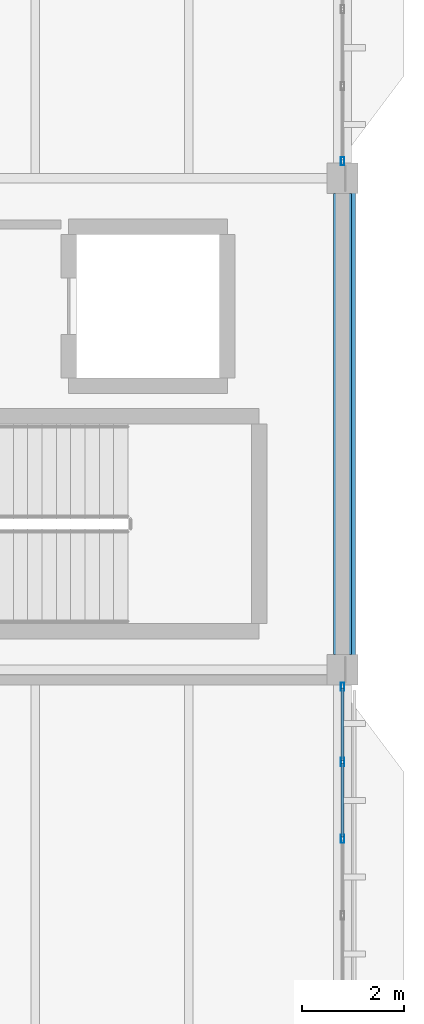
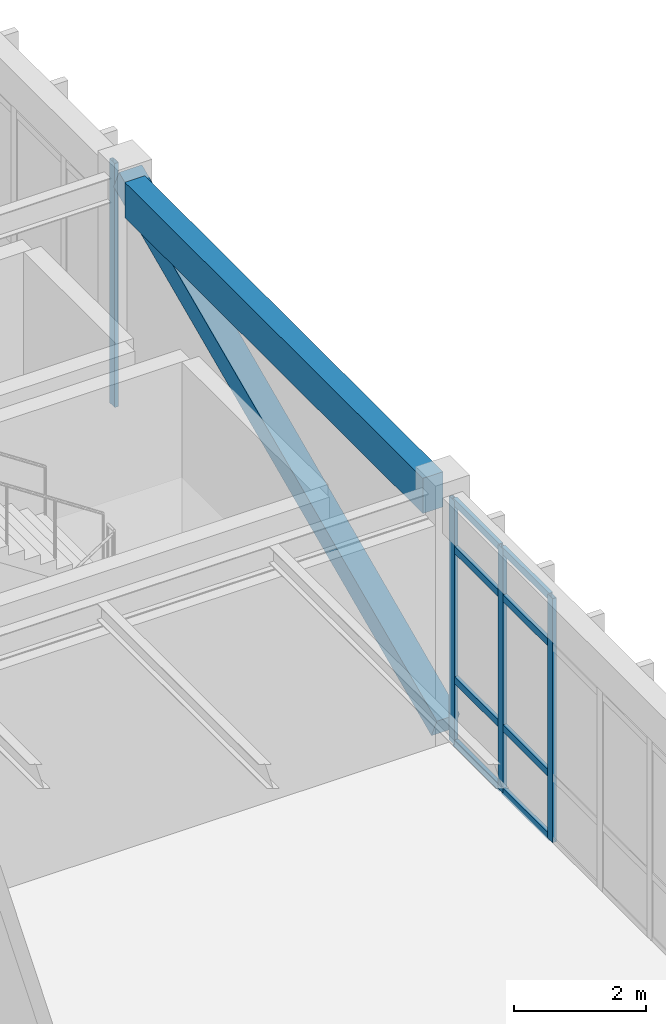
# One storey, part 166 of 236: 13 members, 1 beam, 2 elements without a shape of their own.
"""IFC4 building model written with IfcOpenShell, lengths in metres."""

from ifc_helpers import new_model, si_unit, direction, frame, origin, origin_2d, place, context, subcontext, project, spatial, rectangle, hollow_rectangle, extrude, material, layer, layer_set, material_profile, profile_set, type_object, element, aggregate, save


model = new_model("IFC4")

# Units and contexts
model_context = context("Model", 3, precision=1e-05, world=origin(), true_north=direction((0.0, 1.0)))
body_context = subcontext(model_context, "Body", "Model", "MODEL_VIEW")
ifc_project = project(units=[si_unit("LENGTHUNIT", "METRE"), si_unit("AREAUNIT", "SQUARE_METRE"), si_unit("VOLUMEUNIT", "CUBIC_METRE"), si_unit("PLANEANGLEUNIT", "RADIAN"), si_unit("MASSUNIT", "GRAM", prefix="KILO")], contexts=[model_context])

# Site, building, storey
site_placement = place(None, origin())
site = spatial("IfcSite", under=ifc_project, at=site_placement, CompositionType="ELEMENT")
building_placement = place(site_placement, origin())
building = spatial("IfcBuilding", under=site, at=building_placement, Name="Pandanus Reach Market Hall", CompositionType="ELEMENT")
storey_placement = place(building_placement, frame((0.0, 0.0, 5.39990234375)))
storey = spatial("IfcBuildingStorey", under=building, at=storey_placement, Name="L01", CompositionType="ELEMENT", Elevation=5.39990234375)

# Beam
ifc_material_1 = material(Name="Concrete N40 (40 MPa)", Category="concrete")
ifc_material_profile_1 = material_profile(ifc_material_1, rectangle(XDim=0.35009765625, YDim=0.64990234375, at=origin_2d()), Name="RC350x650", Category="LoadBearing")
ifc_profile_set_1 = profile_set([ifc_material_profile_1], Name="Concrete N40 (40 MPa)")
beam_type = type_object("IfcBeamType", Name="BM-RC350-E", PredefinedType="SPANDREL", material=ifc_profile_set_1)
beam_placement = place(storey_placement, frame((180.0, 67.498046875, 4.215087890625), z_axis=(0.0, 1.0, 0.0), x_axis=(-1.0, 0.0, 0.0)))
element("IfcBeam", 1, at=beam_placement, inside=storey, type_object=beam_type, Name="Framing beam BM-RC350-E L01.369", PredefinedType="SPANDREL", context=body_context, shape_type="SweptSolid", body=[
    extrude(rectangle(XDim=0.35009765625, YDim=0.64990234375, at=origin_2d()), origin(), (0.0, 0.0, 1.0), 9.00390625),
])

# Curtain wall, members
ifc_material_2 = material(Name="Bronze anodised aluminium and low-E glass", Category="aluminium")
ifc_layer = layer(ifc_material_2, 0.159912109375, Name="CW-28")
ifc_layer_set = layer_set([ifc_layer], Name="Bronze anodised aluminium and low-E glass")
curtain_wall_type = type_object("IfcCurtainWallType", Name="CW-28", PredefinedType="NOTDEFINED", material=ifc_layer_set)
curtain_wall_1_placement = place(storey_placement, origin())
curtain_wall_1 = element("IfcCurtainWall", 2, at=curtain_wall_1_placement, inside=storey, type_object=curtain_wall_type, Name="Glazed curtain wall CW-28 CW-0088", PredefinedType="NOTDEFINED")
ifc_material_3 = material(Name="Bronze anodised aluminium", Category="aluminium")
ifc_material_profile_2 = material_profile(ifc_material_3, hollow_rectangle(XDim=0.06494140625, YDim=0.159912109375, WallThickness=0.00390625, at=origin_2d()), Name="ALU65x160", Category="LoadBearing")
ifc_profile_set_2 = profile_set([ifc_material_profile_2], Name="Bronze anodised aluminium")
member_type_1 = type_object("IfcMemberType", Name="CW-M1", PredefinedType="MULLION", material=ifc_profile_set_2)
member_1_placement = place(storey_placement, frame((180.0, 63.89990234375, 0.0), z_axis=(0.0, 0.0, 1.0), x_axis=(-1.0, 0.0, 0.0)))
member_1 = element("IfcMember", 3, at=member_1_placement, type_object=member_type_1, Name="CW-28 mullion 5", PredefinedType="MULLION", context=body_context, shape_type="SweptSolid", body=[
    extrude(hollow_rectangle(XDim=0.06494140625, YDim=0.159912109375, WallThickness=0.00390625, at=origin_2d()), origin(), (0.0, 0.0, 1.0), 4.5),
])
member_2_placement = place(storey_placement, frame((180.0, 65.39990234375, 0.0), z_axis=(0.0, 0.0, 1.0), x_axis=(-1.0, 0.0, 0.0)))
member_2 = element("IfcMember", 4, at=member_2_placement, type_object=member_type_1, Name="CW-28 mullion 6", PredefinedType="MULLION", context=body_context, shape_type="SweptSolid", body=[
    extrude(hollow_rectangle(XDim=0.06494140625, YDim=0.159912109375, WallThickness=0.00390625, at=origin_2d()), origin(), (0.0, 0.0, 1.0), 4.5),
])
member_3_placement = place(storey_placement, frame((180.0, 66.867431640625, 0.0), z_axis=(0.0, 0.0, 1.0), x_axis=(-1.0, 0.0, 0.0)))
member_3 = element("IfcMember", 5, at=member_3_placement, type_object=member_type_1, Name="CW-28 mullion 7", PredefinedType="MULLION", context=body_context, shape_type="SweptSolid", body=[
    extrude(hollow_rectangle(XDim=0.06494140625, YDim=0.159912109375, WallThickness=0.00390625, at=origin_2d()), origin(), (0.0, 0.0, 1.0), 4.5),
])

# Curtain wall, member
curtain_wall_2_placement = place(storey_placement, origin())
curtain_wall_2 = element("IfcCurtainWall", 6, at=curtain_wall_2_placement, inside=storey, type_object=curtain_wall_type, Name="Glazed curtain wall CW-28 CW-0089", PredefinedType="NOTDEFINED")
member_4_placement = place(storey_placement, frame((180.0, 77.132568359375, 0.0), z_axis=(0.0, 0.0, 1.0), x_axis=(-1.0, 0.0, 0.0)))
member_4 = element("IfcMember", 7, at=member_4_placement, type_object=member_type_1, Name="CW-28 mullion 1", PredefinedType="MULLION", context=body_context, shape_type="SweptSolid", body=[
    extrude(hollow_rectangle(XDim=0.06494140625, YDim=0.159912109375, WallThickness=0.00390625, at=origin_2d()), origin(), (0.0, 0.0, 1.0), 4.5),
])
aggregate(curtain_wall_2, [member_4])

# Member
ifc_material_profile_3 = material_profile(ifc_material_3, hollow_rectangle(XDim=0.06494140625, YDim=0.1298828125, WallThickness=0.00390625, at=origin_2d()), Name="ALU65x130", Category="LoadBearing")
ifc_profile_set_3 = profile_set([ifc_material_profile_3], Name="Bronze anodised aluminium")
member_type_2 = type_object("IfcMemberType", Name="CW-T1", PredefinedType="USERDEFINED", material=ifc_profile_set_3)
member_5_placement = place(storey_placement, frame((180.0, 63.9326171875, 0.03271484375), z_axis=(0.0, 1.0, 0.0), x_axis=(-1.0, 0.0, 0.0)))
member_5 = element("IfcMember", 8, at=member_5_placement, type_object=member_type_2, Name="CW-28 transom 5.1", ObjectType="TRANSOM", PredefinedType="USERDEFINED", context=body_context, shape_type="SweptSolid", body=[
    extrude(hollow_rectangle(XDim=0.06494140625, YDim=0.1298828125, WallThickness=0.00390625, at=origin_2d()), origin(), (0.0, 0.0, 1.0), 1.434814453125),
])

member_6_placement = place(storey_placement, frame((180.0, 63.9326171875, 1.2001953125), z_axis=(0.0, 1.0, 0.0), x_axis=(-1.0, 0.0, 0.0)))
member_6 = element("IfcMember", 9, at=member_6_placement, type_object=member_type_2, Name="CW-28 transom 5.2", ObjectType="TRANSOM", PredefinedType="USERDEFINED", context=body_context, shape_type="SweptSolid", body=[
    extrude(hollow_rectangle(XDim=0.06494140625, YDim=0.1298828125, WallThickness=0.00390625, at=origin_2d()), origin(), (0.0, 0.0, 1.0), 1.434814453125),
])

member_7_placement = place(storey_placement, frame((180.0, 63.9326171875, 3.60009765625), z_axis=(0.0, 1.0, 0.0), x_axis=(-1.0, 0.0, 0.0)))
member_7 = element("IfcMember", 10, at=member_7_placement, type_object=member_type_2, Name="CW-28 transom 5.3", ObjectType="TRANSOM", PredefinedType="USERDEFINED", context=body_context, shape_type="SweptSolid", body=[
    extrude(hollow_rectangle(XDim=0.06494140625, YDim=0.1298828125, WallThickness=0.00390625, at=origin_2d()), origin(), (0.0, 0.0, 1.0), 1.434814453125),
])

member_8_placement = place(storey_placement, frame((180.0, 63.9326171875, 4.467529296875), z_axis=(0.0, 1.0, 0.0), x_axis=(-1.0, 0.0, 0.0)))
member_8 = element("IfcMember", 11, at=member_8_placement, type_object=member_type_2, Name="CW-28 transom 5.4", ObjectType="TRANSOM", PredefinedType="USERDEFINED", context=body_context, shape_type="SweptSolid", body=[
    extrude(hollow_rectangle(XDim=0.06494140625, YDim=0.1298828125, WallThickness=0.00390625, at=origin_2d()), origin(), (0.0, 0.0, 1.0), 1.434814453125),
])

member_9_placement = place(storey_placement, frame((180.0, 65.4326171875, 0.03271484375), z_axis=(0.0, 1.0, 0.0), x_axis=(-1.0, 0.0, 0.0)))
member_9 = element("IfcMember", 12, at=member_9_placement, type_object=member_type_2, Name="CW-28 transom 6.1", ObjectType="TRANSOM", PredefinedType="USERDEFINED", context=body_context, shape_type="SweptSolid", body=[
    extrude(hollow_rectangle(XDim=0.06494140625, YDim=0.1298828125, WallThickness=0.00390625, at=origin_2d()), origin(), (0.0, 0.0, 1.0), 1.40234375),
])

member_10_placement = place(storey_placement, frame((180.0, 65.4326171875, 1.2001953125), z_axis=(0.0, 1.0, 0.0), x_axis=(-1.0, 0.0, 0.0)))
member_10 = element("IfcMember", 13, at=member_10_placement, type_object=member_type_2, Name="CW-28 transom 6.2", ObjectType="TRANSOM", PredefinedType="USERDEFINED", context=body_context, shape_type="SweptSolid", body=[
    extrude(hollow_rectangle(XDim=0.06494140625, YDim=0.1298828125, WallThickness=0.00390625, at=origin_2d()), origin(), (0.0, 0.0, 1.0), 1.40234375),
])

member_11_placement = place(storey_placement, frame((180.0, 65.4326171875, 3.60009765625), z_axis=(0.0, 1.0, 0.0), x_axis=(-1.0, 0.0, 0.0)))
member_11 = element("IfcMember", 14, at=member_11_placement, type_object=member_type_2, Name="CW-28 transom 6.3", ObjectType="TRANSOM", PredefinedType="USERDEFINED", context=body_context, shape_type="SweptSolid", body=[
    extrude(hollow_rectangle(XDim=0.06494140625, YDim=0.1298828125, WallThickness=0.00390625, at=origin_2d()), origin(), (0.0, 0.0, 1.0), 1.40234375),
])

member_12_placement = place(storey_placement, frame((180.0, 65.4326171875, 4.467529296875), z_axis=(0.0, 1.0, 0.0), x_axis=(-1.0, 0.0, 0.0)))
member_12 = element("IfcMember", 15, at=member_12_placement, type_object=member_type_2, Name="CW-28 transom 6.4", ObjectType="TRANSOM", PredefinedType="USERDEFINED", context=body_context, shape_type="SweptSolid", body=[
    extrude(hollow_rectangle(XDim=0.06494140625, YDim=0.1298828125, WallThickness=0.00390625, at=origin_2d()), origin(), (0.0, 0.0, 1.0), 1.40234375),
])

aggregate(curtain_wall_1, [member_1, member_2, member_3, member_5, member_6, member_7, member_8, member_9, member_10, member_11, member_12])

ifc_material_4 = material(Name="Concrete N50 (50 MPa)", Category="concrete")
ifc_material_profile_4 = material_profile(ifc_material_4, rectangle(XDim=0.39990234375, YDim=0.39990234375, at=origin_2d()), Name="RC400x400", Category="LoadBearing")
ifc_profile_set_4 = profile_set([ifc_material_profile_4], Name="Concrete N50 (50 MPa)")
member_type_3 = type_object("IfcMemberType", Name="VS-RC400-E", PredefinedType="STRUT", material=ifc_profile_set_4)
member_13_placement = place(storey_placement, frame((180.050048828125, 67.199951171875, 0.10009765625), z_axis=(0.0, 0.912631465218, 0.40878332732), x_axis=(-1.0, 0.0, 0.0)))
element("IfcMember", 16, at=member_13_placement, inside=storey, type_object=member_type_3, Name="Sculpted concrete diagrid rib 2", PredefinedType="STRUT", context=body_context, shape_type="SweptSolid", body=[
    extrude(rectangle(XDim=0.39990234375, YDim=0.39990234375, at=origin_2d()), origin(), (0.0, 0.0, 1.0), 10.51904296875),
])

save(model, "model.ifc")
